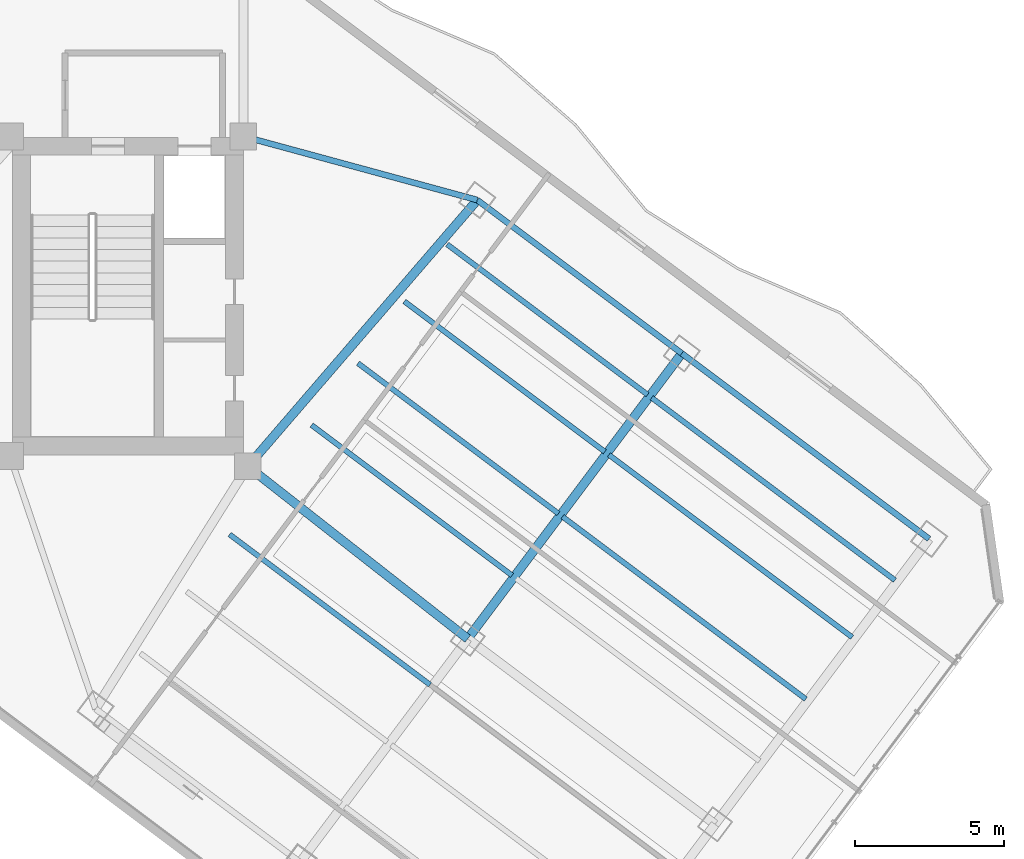
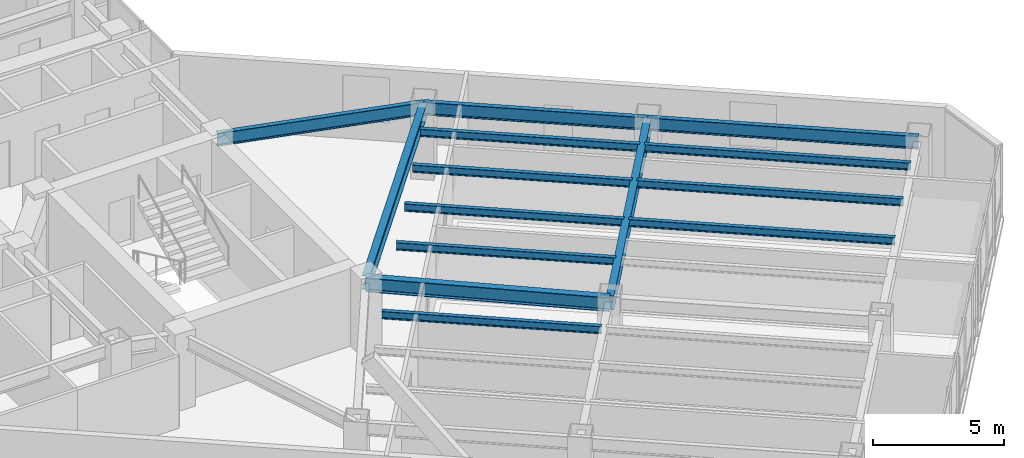
# One storey, part 11 of 31: 14 beams.
"""IFC4 building model written with IfcOpenShell, lengths in metres."""

from ifc_helpers import new_model, si_unit, direction, frame, origin, origin_2d, place, context, subcontext, project, spatial, i_section, extrude, material, material_profile, profile_set, type_object, element, save


model = new_model("IFC4")

# Units and contexts
model_context = context("Model", 3, precision=1e-05, world=origin(), true_north=direction((0.0, 1.0)))
body_context = subcontext(model_context, "Body", "Model", "MODEL_VIEW")
ifc_project = project(units=[si_unit("LENGTHUNIT", "METRE"), si_unit("AREAUNIT", "SQUARE_METRE"), si_unit("VOLUMEUNIT", "CUBIC_METRE"), si_unit("PLANEANGLEUNIT", "RADIAN"), si_unit("MASSUNIT", "GRAM", prefix="KILO")], contexts=[model_context])

# Site, building, storey
site_placement = place(None, origin())
site = spatial("IfcSite", under=ifc_project, at=site_placement, CompositionType="ELEMENT")
building_placement = place(site_placement, origin())
building = spatial("IfcBuilding", under=site, at=building_placement, Name="Hatsunagi Terrace Concourse", CompositionType="ELEMENT")
storey_placement = place(building_placement, frame((0.0, 0.0, 112.050048828125)))
storey = spatial("IfcBuildingStorey", under=building, at=storey_placement, Name="L29", CompositionType="ELEMENT", Elevation=112.050048828125)

# Beams
ifc_material_1 = material(Name="Steel SN490B", Category="steel")
ifc_material_profile_1 = material_profile(ifc_material_1, i_section(OverallWidth=0.175048828125, OverallDepth=0.35009765625, WebThickness=0.007080078125, FlangeThickness=0.010986328125, FilletRadius=0.012939453125, at=origin_2d()), Name="H-350x175x7x11")
ifc_profile_set_1 = profile_set([ifc_material_profile_1], Name="Steel SN490B")
beam_type_1 = type_object("IfcBeamType", Name="HotelJoist_H_350x175", PredefinedType="JOIST", material=ifc_profile_set_1)
for number, where, z_axis, x_axis, name in (
    (1, (43.18798828125, 21.908935546875, 3.175048828125), (0.800003475366, -0.59999536615, 0.0), (0.59999536615, 0.800003475366, 0.0), "Beam J-02 J-L29-SE-2-96"),
    (2, (45.947998046875, 25.589111328125, 3.175048828125), (0.799989573921, -0.600013901187, 0.0), (0.600013901187, 0.799989573921, 0.0), "Beam J-02 J-L29-SE-2-142"),
    (3, (47.508056640625, 27.6689453125, 3.175048828125), (0.800003475366, -0.59999536615, 0.0), (0.59999536615, 0.800003475366, 0.0), "Beam J-02 J-L29-SE-2-168"),
    (4, (49.068115234375, 29.7490234375, 3.175048828125), (0.799989573921, -0.600013901187, 0.0), (0.600013901187, 0.799989573921, 0.0), "Beam J-02 J-L29-SE-2-194"),
    (5, (50.508056640625, 31.6689453125, 3.175048828125), (0.800003475366, -0.59999536615, 0.0), (0.59999536615, 0.800003475366, 0.0), "Beam J-02 J-L29-SE-2-218"),
):
    element("IfcBeam", number, at=place(storey_placement, frame(where, z_axis=z_axis, x_axis=x_axis)), inside=storey, type_object=beam_type_1, Name=name, PredefinedType="JOIST", context=body_context, shape_type="SweptSolid", body=[
        extrude(i_section(OverallWidth=0.175048828125, OverallDepth=0.35009765625, WebThickness=0.007080078125, FlangeThickness=0.010986328125, FilletRadius=0.012939453125, at=origin_2d()), origin(), (0.0, 0.0, 1.0), 8.429931640625),
    ])
beam_1_placement = place(storey_placement, frame((54.387939453125, 22.509033203125, 3.175048828125), z_axis=(0.800005727586, -0.599992363142, 0.0), x_axis=(0.599992363142, 0.800005727586, 0.0)))
element("IfcBeam", 6, at=beam_1_placement, inside=storey, type_object=beam_type_1, Name="Beam J-02 J-L29-SE-3-168", PredefinedType="JOIST", context=body_context, shape_type="SweptSolid", body=[
    extrude(i_section(OverallWidth=0.175048828125, OverallDepth=0.35009765625, WebThickness=0.007080078125, FlangeThickness=0.010986328125, FilletRadius=0.012939453125, at=origin_2d()), origin(), (0.0, 0.0, 1.0), 10.22998046875),
])
beam_2_placement = place(storey_placement, frame((55.947998046875, 24.589111328125, 3.175048828125), z_axis=(0.799994272423, -0.600007636694, 0.0), x_axis=(0.600007636694, 0.799994272423, 0.0)))
element("IfcBeam", 7, at=beam_2_placement, inside=storey, type_object=beam_type_1, Name="Beam J-02 J-L29-SE-3-194", PredefinedType="JOIST", context=body_context, shape_type="SweptSolid", body=[
    extrude(i_section(OverallWidth=0.175048828125, OverallDepth=0.35009765625, WebThickness=0.007080078125, FlangeThickness=0.010986328125, FilletRadius=0.012939453125, at=origin_2d()), origin(), (0.0, 0.0, 1.0), 10.230224609375),
])
beam_3_placement = place(storey_placement, frame((57.387939453125, 26.509033203125, 3.175048828125), z_axis=(0.800005727586, -0.599992363142, 0.0), x_axis=(0.599992363142, 0.800005727586, 0.0)))
element("IfcBeam", 8, at=beam_3_placement, inside=storey, type_object=beam_type_1, Name="Beam J-02 J-L29-SE-3-218", PredefinedType="JOIST", context=body_context, shape_type="SweptSolid", body=[
    extrude(i_section(OverallWidth=0.175048828125, OverallDepth=0.35009765625, WebThickness=0.007080078125, FlangeThickness=0.010986328125, FilletRadius=0.012939453125, at=origin_2d()), origin(), (0.0, 0.0, 1.0), 10.22998046875),
])
ifc_material_2 = material(Name="Steel SN490B", Category="steel")
ifc_material_profile_2 = material_profile(ifc_material_2, i_section(OverallWidth=0.300048828125, OverallDepth=0.64990234375, WebThickness=0.012939453125, FlangeThickness=0.02197265625, FilletRadius=0.01806640625, at=origin_2d()), Name="H-650x300x13x22")
ifc_profile_set_2 = profile_set([ifc_material_profile_2], Name="Steel SN490B")
beam_type_2 = type_object("IfcBeamType", Name="OfficeLowGirder_H_650x300", PredefinedType="BEAM", material=ifc_profile_set_2)
beam_4_placement = place(storey_placement, frame((43.800048828125, 24.199951171875, 3.02490234375), z_axis=(0.652739101421, 0.757582777969, 0.0), x_axis=(-0.757582777969, 0.652739101421, 0.0)))
element("IfcBeam", 9, at=beam_4_placement, inside=storey, type_object=beam_type_2, Name="Beam G-05 BM-L29-SET-1B", PredefinedType="BEAM", context=body_context, shape_type="SweptSolid", body=[
    extrude(i_section(OverallWidth=0.300048828125, OverallDepth=0.64990234375, WebThickness=0.012939453125, FlangeThickness=0.02197265625, FilletRadius=0.01806640625, at=origin_2d()), origin(), (0.0, 0.0, 1.0), 11.8271484375),
])
beam_5_placement = place(storey_placement, frame((43.800048828125, 24.199951171875, 3.02490234375), z_axis=(0.787049441068, -0.616889923175, 0.0), x_axis=(0.616889923175, 0.787049441068, 0.0)))
element("IfcBeam", 10, at=beam_5_placement, inside=storey, type_object=beam_type_2, Name="Beam G-05 BM-L29-SE-M2", PredefinedType="BEAM", context=body_context, shape_type="SweptSolid", body=[
    extrude(i_section(OverallWidth=0.300048828125, OverallDepth=0.64990234375, WebThickness=0.012939453125, FlangeThickness=0.02197265625, FilletRadius=0.01806640625, at=origin_2d()), origin(), (0.0, 0.0, 1.0), 9.402099609375),
])
beam_6_placement = place(storey_placement, frame((51.199951171875, 18.39990234375, 3.02490234375), z_axis=(0.59999348959, 0.800004882766, 0.0), x_axis=(-0.800004882766, 0.59999348959, 0.0)))
element("IfcBeam", 11, at=beam_6_placement, inside=storey, type_object=beam_type_2, Name="Beam G-05 BM-L29-SET-2B", PredefinedType="BEAM", context=body_context, shape_type="SweptSolid", body=[
    extrude(i_section(OverallWidth=0.300048828125, OverallDepth=0.64990234375, WebThickness=0.012939453125, FlangeThickness=0.02197265625, FilletRadius=0.01806640625, at=origin_2d()), origin(), (0.0, 0.0, 1.0), 12.0),
])
ifc_material_3 = material(Name="Steel SN490B", Category="steel")
ifc_material_profile_3 = material_profile(ifc_material_3, i_section(OverallWidth=0.199951171875, OverallDepth=0.60009765625, WebThickness=0.010986328125, FlangeThickness=0.01708984375, FilletRadius=0.01806640625, at=origin_2d()), Name="H-600x200x11x17")
ifc_profile_set_3 = profile_set([ifc_material_profile_3], Name="Steel SN490B")
beam_type_3 = type_object("IfcBeamType", Name="PerimeterSpandrel_H_600x200", PredefinedType="SPANDREL", material=ifc_profile_set_3)
beam_7_placement = place(storey_placement, frame((43.64990234375, 35.300048828125, 3.050048828125), z_axis=(0.964958359286, -0.262403057994, 0.0), x_axis=(0.262403057994, 0.964958359286, 0.0)))
element("IfcBeam", 12, at=beam_7_placement, inside=storey, type_object=beam_type_3, Name="Beam SP-01 BM-L29-SE-NE0", PredefinedType="SPANDREL", context=body_context, shape_type="SweptSolid", body=[
    extrude(i_section(OverallWidth=0.199951171875, OverallDepth=0.60009765625, WebThickness=0.010986328125, FlangeThickness=0.01708984375, FilletRadius=0.01806640625, at=origin_2d()), origin(), (0.0, 0.0, 1.0), 8.156005859375),
])
beam_8_placement = place(storey_placement, frame((51.52001953125, 33.159912109375, 3.050048828125), z_axis=(0.8, -0.6, 0.0), x_axis=(0.6, 0.8, 0.0)))
element("IfcBeam", 13, at=beam_8_placement, inside=storey, type_object=beam_type_3, Name="Beam SP-01 BM-L29-SE-NE2", PredefinedType="SPANDREL", context=body_context, shape_type="SweptSolid", body=[
    extrude(i_section(OverallWidth=0.199951171875, OverallDepth=0.60009765625, WebThickness=0.010986328125, FlangeThickness=0.01708984375, FilletRadius=0.01806640625, at=origin_2d()), origin(), (0.0, 0.0, 1.0), 8.599853515625),
])
beam_9_placement = place(storey_placement, frame((58.39990234375, 28.0, 3.050048828125), z_axis=(0.800002816985, -0.599996244001, 0.0), x_axis=(0.599996244001, 0.800002816985, 0.0)))
element("IfcBeam", 14, at=beam_9_placement, inside=storey, type_object=beam_type_3, Name="Beam SP-01 BM-L29-SE-NE3", PredefinedType="SPANDREL", context=body_context, shape_type="SweptSolid", body=[
    extrude(i_section(OverallWidth=0.199951171875, OverallDepth=0.60009765625, WebThickness=0.010986328125, FlangeThickness=0.01708984375, FilletRadius=0.01806640625, at=origin_2d()), origin(), (0.0, 0.0, 1.0), 10.400146484375),
])

save(model, "model.ifc")
